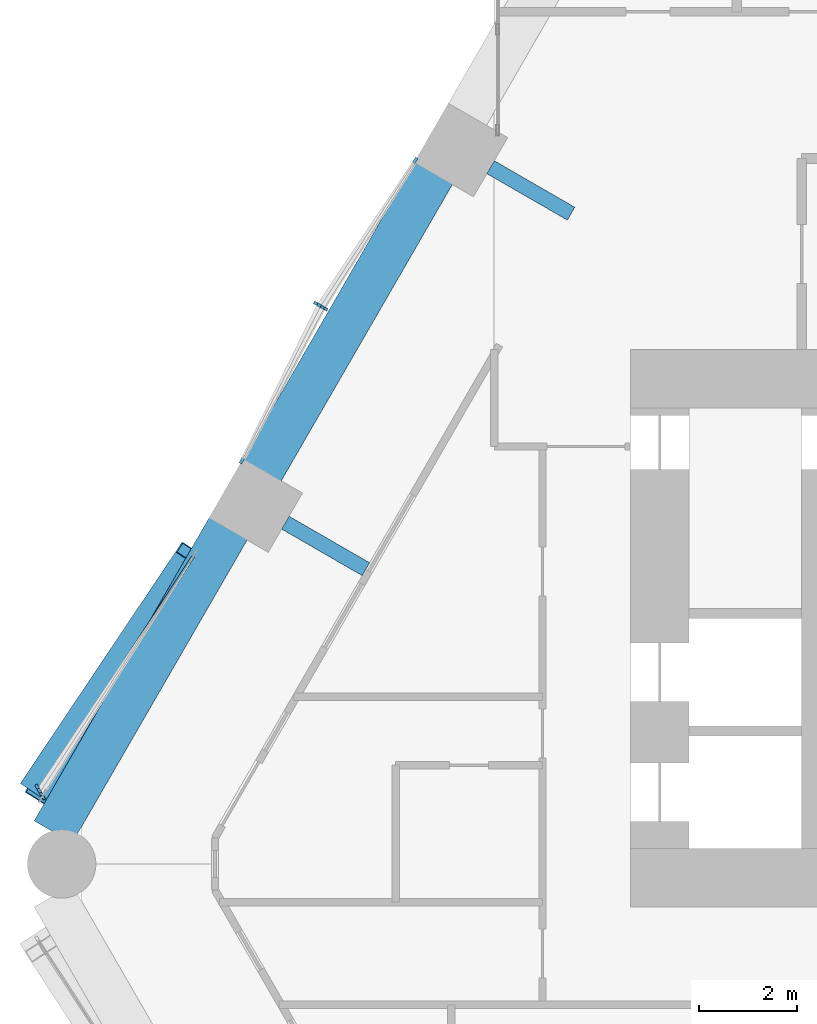
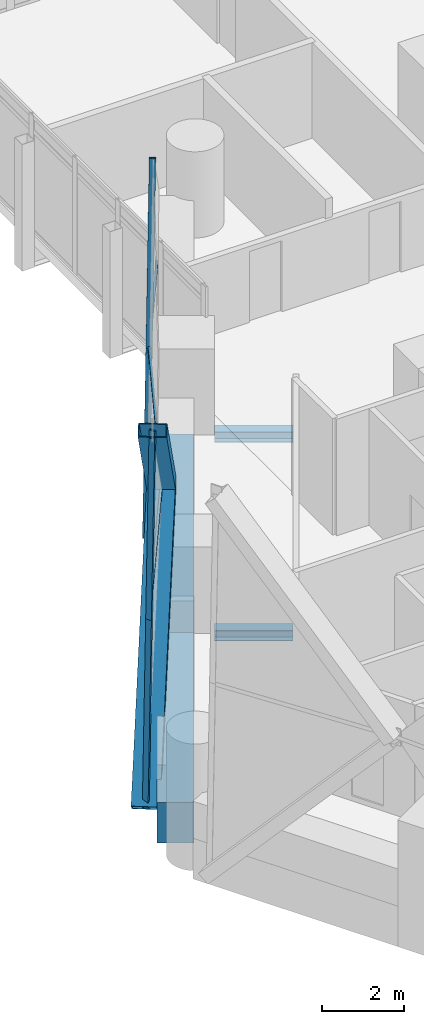
# One storey, part 13 of 35: 9 members, 4 beams, 2 elements without a shape of their own.
"""IFC4 building model written with IfcOpenShell, lengths in metres."""

import ifcopenshell
import ifcopenshell.guid

model = None  # the IFC model being written
_history = None  # IfcOwnerHistory: only IFC2X3 demands one
_inside = {}  # id of a spatial element -> (the spatial element, [elements in it])
_under = {}  # id of a project, library or spatial element -> (it, [spatial elements below it])
_declared = {}  # id of a project -> (the project, [libraries it declares])
_typed = {}  # id of a type object -> (the type object, [elements of that type])
_made_of = {}  # id of a material, layer set ... -> (it, [elements and type objects made of it])


def new_model(schema):
    """Start an empty IFC model of exactly this schema.

    Asked for "IFC4X3", IfcOpenShell would pick the latest addendum, in which some entities
    have other attributes; the version numbers below select the first issue.
    IFC2X3 requires an IfcOwnerHistory on every rooted entity: one is made here for all.
    """
    global model, _history
    if schema == "IFC4X3":
        model = ifcopenshell.file(schema_version=(4, 3, 0, 0))
    else:
        model = ifcopenshell.file(schema=schema)
    _inside.clear()
    _under.clear()
    _declared.clear()
    _typed.clear()
    _made_of.clear()
    _history = None
    if model.schema == "IFC2X3":
        org = make("IfcOrganization", Name="unknown")
        user = make(
            "IfcPersonAndOrganization",
            ThePerson=make("IfcPerson", FamilyName="unknown"),
            TheOrganization=org,
        )
        app = make(
            "IfcApplication",
            ApplicationDeveloper=org,
            Version="unknown",
            ApplicationFullName="unknown",
            ApplicationIdentifier="unknown",
        )
        _history = make(
            "IfcOwnerHistory",
            OwningUser=user,
            OwningApplication=app,
            ChangeAction="ADDED",
            CreationDate=0,
        )
    return model


def make(cls, **values):
    """One entity of the class cls with the attributes given. An attribute that is None is left unset."""
    return model.create_entity(
        cls, **{name: value for name, value in values.items() if value is not None}
    )


def rooted(cls, **values):
    """An entity with a GlobalId (a new one), such as an element, a storey or a relation."""
    return make(cls, GlobalId=ifcopenshell.guid.new(), OwnerHistory=_history, **values)


def si_unit(unit_type, name, prefix=None):
    """IfcSIUnit, for example si_unit("LENGTHUNIT", "METRE", prefix="MILLI")."""
    return make("IfcSIUnit", UnitType=unit_type, Prefix=prefix, Name=name)


def assignment(units):
    """IfcUnitAssignment: the units of a project."""
    return None if units is None else make("IfcUnitAssignment", Units=units)


def point(xyz):
    """IfcCartesianPoint."""
    return None if xyz is None else make("IfcCartesianPoint", Coordinates=xyz)


def direction(xyz):
    """IfcDirection."""
    return None if xyz is None else make("IfcDirection", DirectionRatios=xyz)


def frame(location, z_axis=None, x_axis=None):
    """IfcAxis2Placement3D, a coordinate frame: its origin and axes. An axis left out is left unset."""
    return make(
        "IfcAxis2Placement3D",
        Location=point(location),
        Axis=direction(z_axis),
        RefDirection=direction(x_axis),
    )


def frame_2d(location, x_axis=None):
    """IfcAxis2Placement2D, a coordinate frame in the plane: its origin and x axis."""
    return make(
        "IfcAxis2Placement2D", Location=point(location), RefDirection=direction(x_axis)
    )


def origin():
    """The frame at (0, 0, 0) with its axes left unset."""
    return frame((0.0, 0.0, 0.0))


def origin_2d():
    """The frame at (0, 0) in the plane with its x axis left unset."""
    return frame_2d((0.0, 0.0))


def place(relative_to, where):
    """IfcLocalPlacement: puts the frame where relative to a parent placement (None: the world)."""
    return make(
        "IfcLocalPlacement", PlacementRelTo=relative_to, RelativePlacement=where
    )


def context(
    kind, dimensions, precision=None, world=None, true_north=None, identifier=None
):
    """IfcGeometricRepresentationContext, for example the 3D "Model" context."""
    return make(
        "IfcGeometricRepresentationContext",
        ContextIdentifier=identifier,
        ContextType=kind,
        CoordinateSpaceDimension=dimensions,
        Precision=precision,
        WorldCoordinateSystem=world,
        TrueNorth=true_north,
    )


def subcontext(parent, identifier, kind, view, scale=None):
    """IfcGeometricRepresentationSubContext, for example "Body" below "Model"."""
    return make(
        "IfcGeometricRepresentationSubContext",
        ContextIdentifier=identifier,
        ContextType=kind,
        ParentContext=parent,
        TargetScale=scale,
        TargetView=view,
    )


def project(units=None, contexts=None):
    """IfcProject with its units and contexts."""
    return rooted(
        "IfcProject",
        Name="project",
        RepresentationContexts=contexts,
        UnitsInContext=assignment(units),
    )


def spatial(cls, under=None, at=None, **own):
    """A site, building, storey or space (cls), placed at a placement, below another one or the project."""
    s = rooted(cls, ObjectPlacement=at, **own)
    if under is not None:
        _under.setdefault(under.id(), (under, []))[1].append(s)
    return s


def profile(cls, at=None, kind="AREA", **sizes):
    """A parametric profile (cls). Its sizes go by their IFC names, for example OverallWidth=200.0."""
    return make(cls, ProfileType=kind, Position=at, **sizes)


def rectangle(**sizes):
    """IfcRectangleProfileDef."""
    return profile("IfcRectangleProfileDef", **sizes)


def hollow_rectangle(**sizes):
    """IfcRectangleHollowProfileDef."""
    return profile("IfcRectangleHollowProfileDef", **sizes)


def i_section(**sizes):
    """IfcIShapeProfileDef."""
    return profile("IfcIShapeProfileDef", **sizes)


def extrude(swept, where, along, depth):
    """IfcExtrudedAreaSolid: the profile swept, set in the frame where, extruded along a direction by depth."""
    return make(
        "IfcExtrudedAreaSolid",
        SweptArea=swept,
        Position=where,
        ExtrudedDirection=direction(along),
        Depth=depth,
    )


def shape(context_of_items, identifier, shape_type, items):
    """IfcShapeRepresentation: the items that make up one representation, for example the "Body"."""
    return make(
        "IfcShapeRepresentation",
        ContextOfItems=context_of_items,
        RepresentationIdentifier=identifier,
        RepresentationType=shape_type,
        Items=items,
    )


def material(Name=None, Category=None):
    """IfcMaterial."""
    return make("IfcMaterial", Name=Name, Category=Category)


def material_profile(
    of_material, cross_section, Name=None, Category=None, Priority=None
):
    """IfcMaterialProfile: a cross section and its material."""
    return make(
        "IfcMaterialProfile",
        Name=Name,
        Material=of_material,
        Profile=cross_section,
        Priority=Priority,
        Category=Category,
    )


def profile_set(profiles, Name=None, composite=None):
    """IfcMaterialProfileSet."""
    return make(
        "IfcMaterialProfileSet",
        Name=Name,
        MaterialProfiles=profiles,
        CompositeProfile=composite,
    )


def made_of(thing, what):
    """Note that an element or type object is made of a material, layer set ...; save() writes the relation."""
    if what is not None:
        _made_of.setdefault(what.id(), (what, []))[1].append(thing)
    return thing


def type_object(cls, material=None, **own):
    """A type object (cls), such as IfcWallType, which elements share."""
    return made_of(rooted(cls, **own), material)


def element(
    cls,
    number,
    at=None,
    inside=None,
    cuts=None,
    type_object=None,
    material=None,
    context=None,
    identifier="Body",
    shape_type=None,
    held_by="IfcProductDefinitionShape",
    body=None,
    shapes=None,
    **own,
):
    """One element of the class cls, such as IfcWall. Its Tag is "e" and its number.

    at: its placement. inside: the storey or other place that contains it. cuts: it is an
    opening in that element (IfcRelVoidsElement). A single representation is given by context,
    identifier, shape_type and body (its items); several are given by shapes. held_by: the class
    of the entity that holds the representations. save() writes the other relations.
    """
    e = rooted(cls, Tag="e%d" % number, ObjectPlacement=at, **own)
    if body is not None:
        shapes = [shape(context, identifier, shape_type, body)]
    if shapes is not None:
        e.Representation = make(held_by, Representations=shapes)
    if inside is not None:
        _inside.setdefault(inside.id(), (inside, []))[1].append(e)
    if cuts is not None:
        rooted(
            "IfcRelVoidsElement", RelatingBuildingElement=cuts, RelatedOpeningElement=e
        )
    if type_object is not None:
        _typed.setdefault(type_object.id(), (type_object, []))[1].append(e)
    return made_of(e, material)


def aggregate(whole, parts):
    """IfcRelAggregates: a whole, such as a stair, and the parts it consists of."""
    return rooted("IfcRelAggregates", RelatingObject=whole, RelatedObjects=parts)


def save(model, path):
    """Write the relations noted so far, then the file.

    IfcRelAggregates (storeys below a building ...), IfcRelContainedInSpatialStructure (elements
    in a storey), IfcRelDefinesByType, IfcRelAssociatesMaterial and IfcRelDeclares: one each for
    every whole, place, type object, material and project.
    """
    for whole, parts in _under.values():
        aggregate(whole, parts)
    for where, things in _inside.values():
        rooted(
            "IfcRelContainedInSpatialStructure",
            RelatedElements=things,
            RelatingStructure=where,
        )
    for kind, things in _typed.values():
        rooted("IfcRelDefinesByType", RelatedObjects=things, RelatingType=kind)
    for what, things in _made_of.values():
        rooted("IfcRelAssociatesMaterial", RelatedObjects=things, RelatingMaterial=what)
    for by, libraries in _declared.values():
        rooted("IfcRelDeclares", RelatingContext=by, RelatedDefinitions=libraries)
    model.write(path)


model = new_model("IFC4")

# Units and contexts
model_context = context("Model", 3, precision=1e-05, world=origin(), true_north=direction((0.0, 1.0)))
body_context = subcontext(model_context, "Body", "Model", "MODEL_VIEW")
ifc_project = project(units=[si_unit("LENGTHUNIT", "METRE"), si_unit("AREAUNIT", "SQUARE_METRE"), si_unit("VOLUMEUNIT", "CUBIC_METRE"), si_unit("PLANEANGLEUNIT", "RADIAN"), si_unit("MASSUNIT", "GRAM", prefix="KILO")], contexts=[model_context])

# Site, building, storey
site_placement = place(None, origin())
site = spatial("IfcSite", under=ifc_project, at=site_placement, CompositionType="ELEMENT")
building_placement = place(site_placement, origin())
building = spatial("IfcBuilding", under=site, at=building_placement, Name="Ostrander Bayou Hotel Tower", CompositionType="ELEMENT")
storey_placement = place(building_placement, frame((0.0, 0.0, 69.25)))
storey = spatial("IfcBuildingStorey", under=building, at=storey_placement, Name="L17", CompositionType="ELEMENT", Elevation=69.25)

# Curtain wall, members
ifc_material_1 = material(Name="Aluminium and clear glass", Category="aluminium")
curtain_wall_type = type_object("IfcCurtainWallType", Name="CW-LAT lattice glazing", PredefinedType="NOTDEFINED", material=ifc_material_1)
curtain_wall_1_placement = place(storey_placement, origin())
curtain_wall_1 = element("IfcCurtainWall", 1, at=curtain_wall_1_placement, inside=storey, type_object=curtain_wall_type, Name="CW-LAT L17 NW 1", PredefinedType="NOTDEFINED")
ifc_material_2 = material(Name="Aluminium", Category="aluminium")
ifc_material_profile_1 = material_profile(ifc_material_2, hollow_rectangle(XDim=0.06005859375, YDim=0.159912109375, WallThickness=0.00390625, at=origin_2d()))
ifc_profile_set_1 = profile_set([ifc_material_profile_1], Name="Aluminium")
member_type_1 = type_object("IfcMemberType", Name="CW-LA mullion 60 x 160 mm", PredefinedType="MULLION", material=ifc_profile_set_1)
member_1_placement = place(storey_placement, frame((-18.404541015625, 10.6259765625, -0.60009765625), z_axis=(0.012585474108, -0.007290895345, 0.999894218748), x_axis=(0.501271486133, 0.865290065348, 0.0)))
member_1 = element("IfcMember", 2, at=member_1_placement, type_object=member_type_1, Name="CW-LAT mullion 1", PredefinedType="MULLION", context=body_context, shape_type="SweptSolid", body=[
    extrude(hollow_rectangle(XDim=0.06005859375, YDim=0.159912109375, WallThickness=0.00390625, at=origin_2d()), origin(), (0.0, 0.0, 1.0), 5.62548828125),
])
member_2_placement = place(storey_placement, frame((-18.333740234375, 10.5849609375, 5.02490234375), z_axis=(0.012628865384, -0.007290891356, 0.999893671678), x_axis=(0.499980071345, 0.866036909293, 0.0)))
member_2 = element("IfcMember", 3, at=member_2_placement, type_object=member_type_1, Name="CW-LAT mullion 2", PredefinedType="MULLION", context=body_context, shape_type="SweptSolid", body=[
    extrude(hollow_rectangle(XDim=0.06005859375, YDim=0.159912109375, WallThickness=0.00390625, at=origin_2d()), origin(), (0.0, 0.0, 1.0), 5.62548828125),
])
member_3_placement = place(storey_placement, frame((-24.1162109375, 0.7333984375, -0.60009765625), z_axis=(0.008418945283, -0.014581266058, 0.999858243973), x_axis=(0.866013897511, 0.50001992892, 0.0)))
member_3 = element("IfcMember", 4, at=member_3_placement, type_object=member_type_1, Name="CW-LAT mullion 5", PredefinedType="MULLION", context=body_context, shape_type="SweptSolid", body=[
    extrude(hollow_rectangle(XDim=0.06005859375, YDim=0.159912109375, WallThickness=0.00390625, at=origin_2d()), origin(), (0.0, 0.0, 1.0), 5.625732421875),
])
member_4_placement = place(storey_placement, frame((-24.06884765625, 0.6513671875, 5.02490234375), z_axis=(0.008418950603, -0.014537878618, 0.99985887572), x_axis=(0.865367327112, 0.50113809391, 0.0)))
member_4 = element("IfcMember", 5, at=member_4_placement, type_object=member_type_1, Name="CW-LAT mullion 6", PredefinedType="MULLION", context=body_context, shape_type="SweptSolid", body=[
    extrude(hollow_rectangle(XDim=0.06005859375, YDim=0.159912109375, WallThickness=0.00390625, at=origin_2d()), origin(), (0.0, 0.0, 1.0), 5.625732421875),
])
aggregate(curtain_wall_1, [member_1, member_2, member_3, member_4])

curtain_wall_2_placement = place(storey_placement, origin())
curtain_wall_2 = element("IfcCurtainWall", 6, at=curtain_wall_2_placement, inside=storey, type_object=curtain_wall_type, Name="CW-LAT L17 NW 2", PredefinedType="NOTDEFINED")
ifc_material_3 = material(Name="Aluminium", Category="aluminium")
ifc_material_profile_2 = material_profile(ifc_material_3, hollow_rectangle(XDim=0.06005859375, YDim=0.1201171875, WallThickness=0.00390625, at=origin_2d()))
ifc_profile_set_2 = profile_set([ifc_material_profile_2], Name="Aluminium")
member_type_2 = type_object("IfcMemberType", Name="CW-LA transom 60 x 120 mm", PredefinedType="USERDEFINED", material=ifc_profile_set_2)
member_5_placement = place(storey_placement, frame((-18.333740234375, 10.5849609375, 5.02490234375), z_axis=(0.544470173965, 0.838780203428, 0.0), x_axis=(-0.838780203428, 0.544470173965, 0.0)))
member_5 = element("IfcMember", 7, at=member_5_placement, type_object=member_type_2, Name="CW-LAT transom 3", ObjectType="TRANSOM", PredefinedType="USERDEFINED", context=body_context, shape_type="SweptSolid", body=[
    extrude(hollow_rectangle(XDim=0.06005859375, YDim=0.1201171875, WallThickness=0.00390625, at=origin_2d()), origin(), (0.0, 0.0, 1.0), 3.611083984375),
])
member_6_placement = place(storey_placement, frame((-18.333740234375, 10.5849609375, 5.02490234375), z_axis=(-0.454177976608, -0.890910975106, 0.0), x_axis=(0.890910975106, -0.454177976608, 0.0)))
member_6 = element("IfcMember", 8, at=member_6_placement, type_object=member_type_2, Name="CW-LAT transom 4", ObjectType="TRANSOM", PredefinedType="USERDEFINED", context=body_context, shape_type="SweptSolid", body=[
    extrude(hollow_rectangle(XDim=0.06005859375, YDim=0.1201171875, WallThickness=0.00390625, at=origin_2d()), origin(), (0.0, 0.0, 1.0), 3.610595703125),
])
member_7_placement = place(storey_placement, frame((-24.06884765625, 0.6513671875, 5.02490234375), z_axis=(0.544475730854, 0.838776596306, 0.0), x_axis=(-0.838776596306, 0.544475730854, 0.0)))
member_7 = element("IfcMember", 9, at=member_7_placement, type_object=member_type_2, Name="CW-LAT transom 7", ObjectType="TRANSOM", PredefinedType="USERDEFINED", context=body_context, shape_type="SweptSolid", body=[
    extrude(hollow_rectangle(XDim=0.06005859375, YDim=0.1201171875, WallThickness=0.00390625, at=origin_2d()), origin(), (0.0, 0.0, 1.0), 5.7431640625),
])
aggregate(curtain_wall_2, [member_5, member_6, member_7])

# Beams
ifc_material_4 = material(Name="Steel ASTM A992", Category="steel")
ifc_material_profile_3 = material_profile(ifc_material_4, i_section(OverallWidth=0.3046875, OverallDepth=0.307861328125, WebThickness=0.010009765625, FlangeThickness=0.015380859375, at=origin_2d()))
ifc_profile_set_3 = profile_set([ifc_material_profile_3], Name="Steel ASTM A992")
beam_type_1 = type_object("IfcBeamType", Name="LB1 loggia bracket W12x65", PredefinedType="BEAM", material=ifc_profile_set_3)
for number, where, z_axis, x_axis, name in (
    (10, (-14.860595703125, 13.42431640625, -0.453857421875), (0.865988727248, -0.500063520245, 0.0), (0.500063520245, 0.865988727248, 0.0), "LB1 L17 NW1"),
    (11, (-19.055908203125, 6.157470703125, -0.453857421875), (0.866044365799, -0.499967155389, 0.0), (0.499967155389, 0.866044365799, 0.0), "LB1 L17 NW2"),
):
    element("IfcBeam", number, at=place(storey_placement, frame(where, z_axis=z_axis, x_axis=x_axis)), inside=storey, type_object=beam_type_1, Name=name, PredefinedType="BEAM", context=body_context, shape_type="SweptSolid", body=[
        extrude(i_section(OverallWidth=0.3046875, OverallDepth=0.307861328125, WebThickness=0.010009765625, FlangeThickness=0.015380859375, at=origin_2d()), origin(), (0.0, 0.0, 1.0), 1.900146484375),
    ])

# Members
ifc_material_5 = material(Name="Steel ASTM A572 Gr 50", Category="steel")
ifc_material_profile_4 = material_profile(ifc_material_5, hollow_rectangle(XDim=0.699951171875, YDim=0.35009765625, WallThickness=0.02490234375, at=origin_2d()))
ifc_profile_set_4 = profile_set([ifc_material_profile_4], Name="Steel ASTM A572 Gr 50")
member_type_3 = type_object("IfcMemberType", Name="LT1 lattice member box 700 x 350 x 25 mm", PredefinedType="BRACE", material=ifc_profile_set_4)
member_8_placement = place(storey_placement, frame((-20.94189453125, 5.468505859375, 5.02490234375), z_axis=(-0.396361983128, -0.591250627808, -0.702367335123), x_axis=(0.830624390711, -0.556833118228, 0.0)))
element("IfcMember", 12, at=member_8_placement, inside=storey, type_object=member_type_3, Name="LT1 L17 NW 1", PredefinedType="BRACE", context=body_context, shape_type="SweptSolid", body=[
    extrude(hollow_rectangle(XDim=0.699951171875, YDim=0.35009765625, WallThickness=0.02490234375, at=origin_2d()), origin(), (0.0, 0.0, 1.0), 8.008544921875),
])
member_9_placement = place(storey_placement, frame((-20.94189453125, 5.468505859375, 5.02490234375), z_axis=(-0.381612363757, -0.607058323383, 0.697030986283), x_axis=(0.846615909518, -0.53220437968, 0.0)))
element("IfcMember", 13, at=member_9_placement, inside=storey, type_object=member_type_3, Name="LT1 L17 NW 2", PredefinedType="BRACE", context=body_context, shape_type="SweptSolid", body=[
    extrude(hollow_rectangle(XDim=0.699951171875, YDim=0.35009765625, WallThickness=0.02490234375, at=origin_2d()), origin(), (0.0, 0.0, 1.0), 8.06982421875),
])

# Beams
ifc_material_6 = material(Name="Concrete f'c 70 MPa", Category="concrete")
ifc_material_profile_5 = material_profile(ifc_material_6, rectangle(XDim=0.89990234375, YDim=1.199951171875, at=origin_2d()))
ifc_profile_set_5 = profile_set([ifc_material_profile_5], Name="Concrete f'c 70 MPa")
beam_type_2 = type_object("IfcBeamType", Name="SP1 spandrel beam 900 x 1200 mm f'c 70 MPa", PredefinedType="SPANDREL", material=ifc_profile_set_5)
beam_1_placement = place(storey_placement, frame((-16.018310546875, 13.319091796875, -0.60009765625), z_axis=(-0.499997206141, -0.866027016814, 0.0), x_axis=(0.866027016814, -0.499997206141, 0.0)))
element("IfcBeam", 14, at=beam_1_placement, inside=storey, type_object=beam_type_2, Name="SP1 L17 NW-2", PredefinedType="SPANDREL", context=body_context, shape_type="SweptSolid", body=[
    extrude(rectangle(XDim=0.89990234375, YDim=1.199951171875, at=origin_2d()), origin(), (0.0, 0.0, 1.0), 7.05078125),
])
beam_2_placement = place(storey_placement, frame((-20.213623046875, 6.05224609375, -0.60009765625), z_axis=(-0.500014005679, -0.866017317451, 0.0), x_axis=(0.866017317451, -0.500014005679, 0.0)))
element("IfcBeam", 15, at=beam_2_placement, inside=storey, type_object=beam_type_2, Name="SP1 L17 NW-3", PredefinedType="SPANDREL", context=body_context, shape_type="SweptSolid", body=[
    extrude(rectangle(XDim=0.89990234375, YDim=1.199951171875, at=origin_2d()), origin(), (0.0, 0.0, 1.0), 7.176025390625),
])

save(model, "model.ifc")
